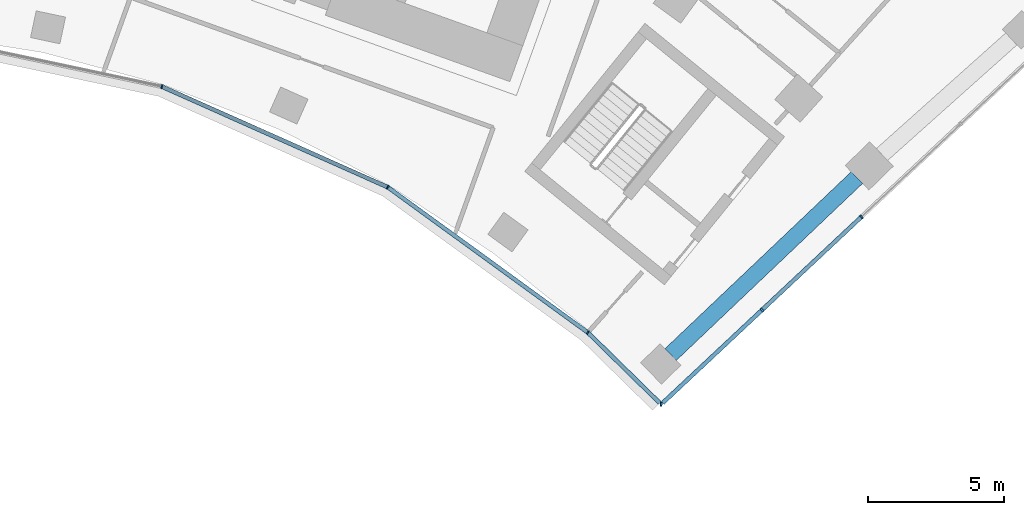
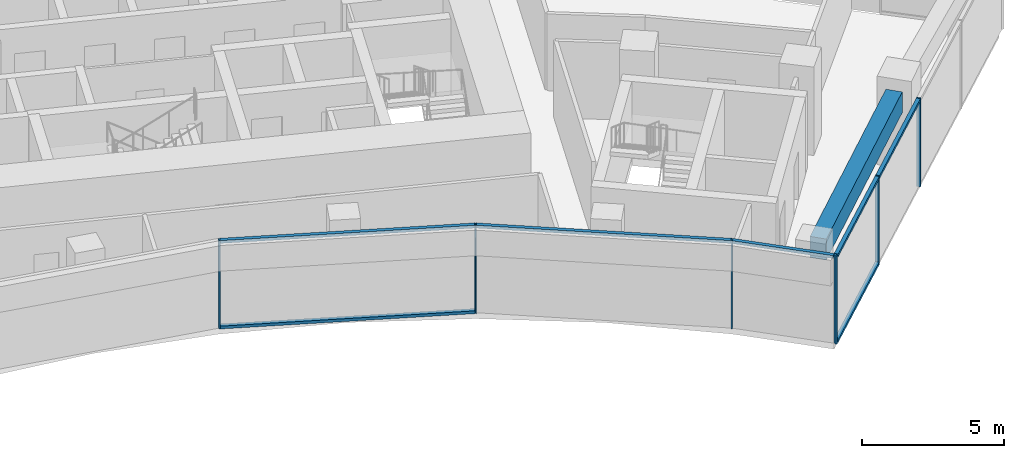
# One storey, part 9 of 21: 13 members, 1 beam, 2 elements without a shape of their own.
"""IFC4 building model written with IfcOpenShell, lengths in metres."""

from ifc_helpers import new_model, si_unit, direction, frame, origin, origin_2d, place, context, subcontext, project, spatial, rectangle, extrude, material, layer, layer_set, material_profile, profile_set, type_object, element, aggregate, save


model = new_model("IFC4")

# Units and contexts
model_context = context("Model", 3, precision=1e-05, world=origin(), true_north=direction((0.0, 1.0)))
body_context = subcontext(model_context, "Body", "Model", "MODEL_VIEW")
ifc_project = project(units=[si_unit("LENGTHUNIT", "METRE"), si_unit("AREAUNIT", "SQUARE_METRE"), si_unit("VOLUMEUNIT", "CUBIC_METRE"), si_unit("PLANEANGLEUNIT", "RADIAN"), si_unit("MASSUNIT", "GRAM", prefix="KILO")], contexts=[model_context])

# Site, building, storey
site_placement = place(None, origin())
site = spatial("IfcSite", under=ifc_project, at=site_placement, CompositionType="ELEMENT")
building_placement = place(site_placement, origin())
building = spatial("IfcBuilding", under=site, at=building_placement, Name="Stone Belt Terrace Tower", CompositionType="ELEMENT")
storey_placement = place(building_placement, frame((0.0, 0.0, 189.60009765625)))
storey = spatial("IfcBuildingStorey", under=building, at=storey_placement, Name="L46", CompositionType="ELEMENT", Elevation=189.60009765625)

# Curtain wall, members
ifc_material_1 = material(Name="Aluminium 6063-T6 anodised frame", Category="aluminium")
ifc_layer_1 = layer(ifc_material_1, 0.14990234375)
ifc_layer_set_1 = layer_set([ifc_layer_1], Name="CW-B unitised concave-face curtain wall")
curtain_wall_type_1 = type_object("IfcCurtainWallType", Name="CW-B unitised concave-face curtain wall", PredefinedType="NOTDEFINED", material=ifc_layer_set_1)
curtain_wall_1_placement = place(storey_placement, origin())
curtain_wall_1 = element("IfcCurtainWall", 1, at=curtain_wall_1_placement, inside=storey, type_object=curtain_wall_type_1, Name="CW-B concave face L46", PredefinedType="NOTDEFINED")
ifc_material_profile_1 = material_profile(ifc_material_1, rectangle(XDim=0.14990234375, YDim=0.050048828125, at=origin_2d()), Name="Aluminium 6063-T6 50x150")
ifc_profile_set_1 = profile_set([ifc_material_profile_1], Name="Aluminium 6063-T6 anodised frame")
member_type_1 = type_object("IfcMemberType", Name="CW-B mullion 50 x 150", PredefinedType="MULLION", material=ifc_profile_set_1)
member_1_placement = place(storey_placement, frame((13.4189453125, 41.29931640625, 0.0), z_axis=(0.0, 0.0, 1.0), x_axis=(0.309016994375, 0.951056516295, 0.0)))
member_1 = element("IfcMember", 2, at=member_1_placement, type_object=member_type_1, Name="CW-B mullion 7", PredefinedType="MULLION", context=body_context, shape_type="SweptSolid", body=[
    extrude(rectangle(XDim=0.14990234375, YDim=0.050048828125, at=origin_2d()), origin(), (0.0, 0.0, 1.0), 3.7998046875),
])
member_2_placement = place(storey_placement, frame((21.71240234375, 37.606689453125, 0.0), z_axis=(0.0, 0.0, 1.0), x_axis=(0.5, 0.866025403784, 0.0)))
member_2 = element("IfcMember", 3, at=member_2_placement, type_object=member_type_1, Name="CW-B mullion 8", PredefinedType="MULLION", context=body_context, shape_type="SweptSolid", body=[
    extrude(rectangle(XDim=0.14990234375, YDim=0.050048828125, at=origin_2d()), origin(), (0.0, 0.0, 1.0), 3.7998046875),
])
member_3_placement = place(storey_placement, frame((29.05859375, 32.269287109375, 0.0), z_axis=(0.0, 0.0, 1.0), x_axis=(0.645718816337, 0.763575281311, 0.0)))
member_3 = element("IfcMember", 4, at=member_3_placement, type_object=member_type_1, Name="CW-B mullion 9", PredefinedType="MULLION", context=body_context, shape_type="SweptSolid", body=[
    extrude(rectangle(XDim=0.14990234375, YDim=0.050048828125, at=origin_2d()), origin(), (0.0, 0.0, 1.0), 3.7998046875),
])
ifc_material_profile_2 = material_profile(ifc_material_1, rectangle(XDim=0.14990234375, YDim=0.1201171875, at=origin_2d()), Name="Aluminium 6063-T6 150x120")
ifc_profile_set_2 = profile_set([ifc_material_profile_2], Name="Aluminium 6063-T6 anodised frame")
member_type_2 = type_object("IfcMemberType", Name="CW-B transom 120 x 150", PredefinedType="USERDEFINED", material=ifc_profile_set_2)
member_4_placement = place(storey_placement, frame((13.44873046875, 41.285888671875, 0.059814453125), z_axis=(0.913548853737, -0.406729015237, 0.0), x_axis=(0.406729015237, 0.913548853737, 0.0)))
member_4 = element("IfcMember", 5, at=member_4_placement, type_object=member_type_2, Name="CW-B transom 7.1", ObjectType="TRANSOM", PredefinedType="USERDEFINED", context=body_context, shape_type="SweptSolid", body=[
    extrude(rectangle(XDim=0.14990234375, YDim=0.1201171875, at=origin_2d()), origin(), (0.0, 0.0, 1.0), 9.0126953125),
])
member_5_placement = place(storey_placement, frame((13.44873046875, 41.285888671875, 3.739990234375), z_axis=(0.913548853737, -0.406729015237, 0.0), x_axis=(0.406729015237, 0.913548853737, 0.0)))
member_5 = element("IfcMember", 6, at=member_5_placement, type_object=member_type_2, Name="CW-B transom 7.2", ObjectType="TRANSOM", PredefinedType="USERDEFINED", context=body_context, shape_type="SweptSolid", body=[
    extrude(rectangle(XDim=0.14990234375, YDim=0.1201171875, at=origin_2d()), origin(), (0.0, 0.0, 1.0), 9.0126953125),
])
member_6_placement = place(storey_placement, frame((21.73876953125, 37.587646484375, 3.739990234375), z_axis=(0.809014641892, -0.587788490194, 0.0), x_axis=(0.587788490194, 0.809014641892, 0.0)))
member_6 = element("IfcMember", 7, at=member_6_placement, type_object=member_type_2, Name="CW-B transom 8.1", ObjectType="TRANSOM", PredefinedType="USERDEFINED", context=body_context, shape_type="SweptSolid", body=[
    extrude(rectangle(XDim=0.14990234375, YDim=0.1201171875, at=origin_2d()), origin(), (0.0, 0.0, 1.0), 9.017333984375),
])
member_7_placement = place(storey_placement, frame((29.080322265625, 32.248046875, 3.739990234375), z_axis=(0.713993905841, -0.700151913818, 0.0), x_axis=(0.700151913818, 0.713993905841, 0.0)))
member_7 = element("IfcMember", 8, at=member_7_placement, type_object=member_type_2, Name="CW-B transom 9.1", ObjectType="TRANSOM", PredefinedType="USERDEFINED", context=body_context, shape_type="SweptSolid", body=[
    extrude(rectangle(XDim=0.14990234375, YDim=0.1201171875, at=origin_2d()), origin(), (0.0, 0.0, 1.0), 3.668701171875),
])
aggregate(curtain_wall_1, [member_1, member_2, member_3, member_4, member_5, member_6, member_7])

ifc_layer_2 = layer(ifc_material_1, 0.14990234375)
ifc_layer_set_2 = layer_set([ifc_layer_2], Name="CW-C stick curtain wall, horn ends and notches")
curtain_wall_type_2 = type_object("IfcCurtainWallType", Name="CW-C stick curtain wall, horn ends and notches", PredefinedType="NOTDEFINED", material=ifc_layer_set_2)
curtain_wall_2_placement = place(storey_placement, origin())
curtain_wall_2 = element("IfcCurtainWall", 9, at=curtain_wall_2_placement, inside=storey, type_object=curtain_wall_type_2, Name="CW-C end face L46", PredefinedType="NOTDEFINED")
ifc_material_profile_3 = material_profile(ifc_material_1, rectangle(XDim=0.14990234375, YDim=0.06005859375, at=origin_2d()), Name="Aluminium 6063-T6 60x150")
ifc_profile_set_3 = profile_set([ifc_material_profile_3], Name="Aluminium 6063-T6 anodised frame")
member_type_3 = type_object("IfcMemberType", Name="CW-C mullion 60 x 150", PredefinedType="MULLION", material=ifc_profile_set_3)
member_8_placement = place(storey_placement, frame((31.749755859375, 29.630615234375, 0.0), z_axis=(0.0, 0.0, 1.0), x_axis=(0.011497518366, 0.999933901351, 0.0)))
member_8 = element("IfcMember", 10, at=member_8_placement, type_object=member_type_3, Name="CW-C mullion 1", PredefinedType="MULLION", context=body_context, shape_type="SweptSolid", body=[
    extrude(rectangle(XDim=0.14990234375, YDim=0.06005859375, at=origin_2d()), origin(), (0.0, 0.0, 1.0), 3.7998046875),
])
member_9_placement = place(storey_placement, frame((35.45166015625, 33.097412109375, 0.0), z_axis=(0.0, 0.0, 1.0), x_axis=(-0.683549434973, 0.729904219708, 0.0)))
member_9 = element("IfcMember", 11, at=member_9_placement, type_object=member_type_3, Name="CW-C mullion 2", PredefinedType="MULLION", context=body_context, shape_type="SweptSolid", body=[
    extrude(rectangle(XDim=0.14990234375, YDim=0.06005859375, at=origin_2d()), origin(), (0.0, 0.0, 1.0), 3.7998046875),
])
member_10_placement = place(storey_placement, frame((39.10107421875, 36.51513671875, 0.0), z_axis=(0.0, 0.0, 1.0), x_axis=(-0.683549434973, 0.729904219708, 0.0)))
member_10 = element("IfcMember", 12, at=member_10_placement, type_object=member_type_3, Name="CW-C mullion 3", PredefinedType="MULLION", context=body_context, shape_type="SweptSolid", body=[
    extrude(rectangle(XDim=0.14990234375, YDim=0.06005859375, at=origin_2d()), origin(), (0.0, 0.0, 1.0), 3.7998046875),
])
ifc_material_profile_4 = material_profile(ifc_material_1, rectangle(XDim=0.14990234375, YDim=0.1201171875, at=origin_2d()), Name="Aluminium 6063-T6 150x120")
ifc_profile_set_4 = profile_set([ifc_material_profile_4], Name="Aluminium 6063-T6 anodised frame")
member_type_4 = type_object("IfcMemberType", Name="CW-C transom 120 x 150", PredefinedType="USERDEFINED", material=ifc_profile_set_4)
member_11_placement = place(storey_placement, frame((31.80322265625, 29.680908203125, 0.059814453125), z_axis=(0.729920194982, 0.683532375939, 0.0), x_axis=(-0.683532375939, 0.729920194982, 0.0)))
member_11 = element("IfcMember", 13, at=member_11_placement, type_object=member_type_4, Name="CW-C transom 1.1", ObjectType="TRANSOM", PredefinedType="USERDEFINED", context=body_context, shape_type="SweptSolid", body=[
    extrude(rectangle(XDim=0.14990234375, YDim=0.1201171875, at=origin_2d()), origin(), (0.0, 0.0, 1.0), 4.96826171875),
])
member_12_placement = place(storey_placement, frame((31.80322265625, 29.680908203125, 3.739990234375), z_axis=(0.729920194982, 0.683532375939, 0.0), x_axis=(-0.683532375939, 0.729920194982, 0.0)))
member_12 = element("IfcMember", 14, at=member_12_placement, type_object=member_type_4, Name="CW-C transom 1.2", ObjectType="TRANSOM", PredefinedType="USERDEFINED", context=body_context, shape_type="SweptSolid", body=[
    extrude(rectangle(XDim=0.14990234375, YDim=0.1201171875, at=origin_2d()), origin(), (0.0, 0.0, 1.0), 4.96826171875),
])
member_13_placement = place(storey_placement, frame((35.4736328125, 33.117919921875, 3.739990234375), z_axis=(0.729905447424, 0.683548123998, 0.0), x_axis=(-0.683548123998, 0.729905447424, 0.0)))
member_13 = element("IfcMember", 15, at=member_13_placement, type_object=member_type_4, Name="CW-C transom 2.1", ObjectType="TRANSOM", PredefinedType="USERDEFINED", context=body_context, shape_type="SweptSolid", body=[
    extrude(rectangle(XDim=0.14990234375, YDim=0.1201171875, at=origin_2d()), origin(), (0.0, 0.0, 1.0), 4.93994140625),
])
aggregate(curtain_wall_2, [member_8, member_9, member_10, member_11, member_12, member_13])

# Beam
ifc_material_2 = material(Name="Concrete B60", Category="concrete")
ifc_material_profile_5 = material_profile(ifc_material_2, rectangle(XDim=0.60009765625, YDim=0.89990234375, at=origin_2d()), Name="RC 600x900")
ifc_profile_set_5 = profile_set([ifc_material_profile_5], Name="Concrete B60")
beam_type = type_object("IfcBeamType", Name="Edge beam RC 600x900 B60", PredefinedType="SPANDREL", material=ifc_profile_set_5)
beam_placement = place(storey_placement, frame((32.097412109375, 31.461181640625, 2.849853515625), z_axis=(0.725033041143, 0.688714083819, 0.0), x_axis=(-0.688714083819, 0.725033041143, 0.0)))
element("IfcBeam", 16, at=beam_placement, inside=storey, type_object=beam_type, Name="Edge beam L46 B P to Q", PredefinedType="SPANDREL", context=body_context, shape_type="SweptSolid", body=[
    extrude(rectangle(XDim=0.60009765625, YDim=0.89990234375, at=origin_2d()), origin(), (0.0, 0.0, 1.0), 9.43115234375),
])

save(model, "model.ifc")
